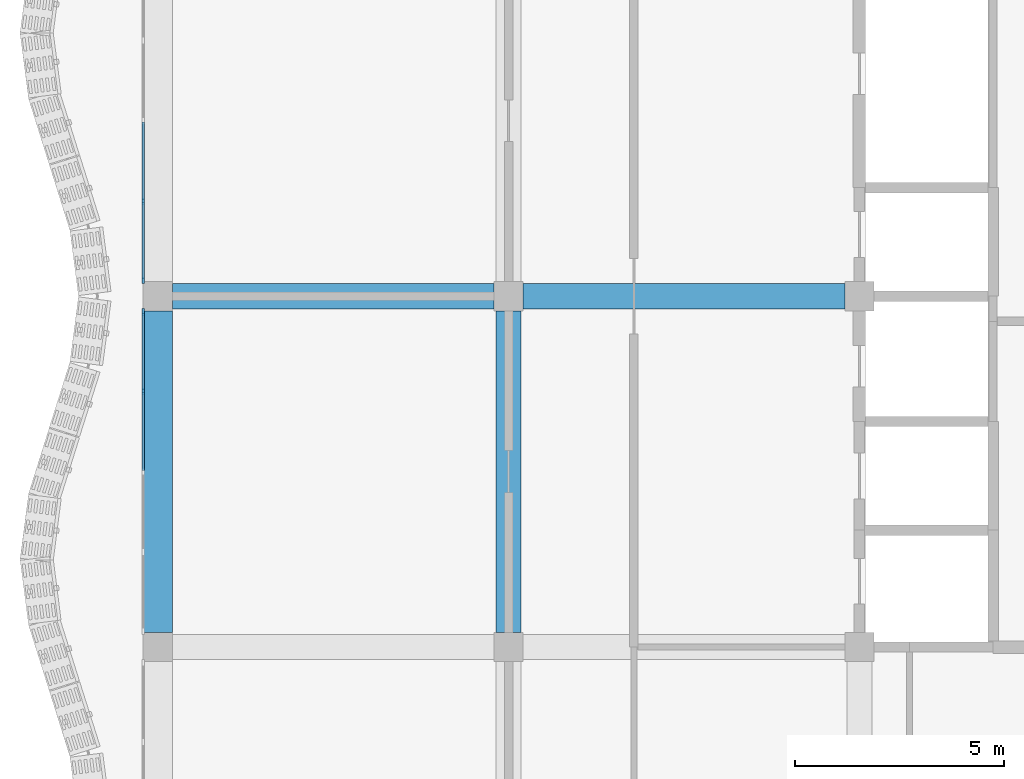
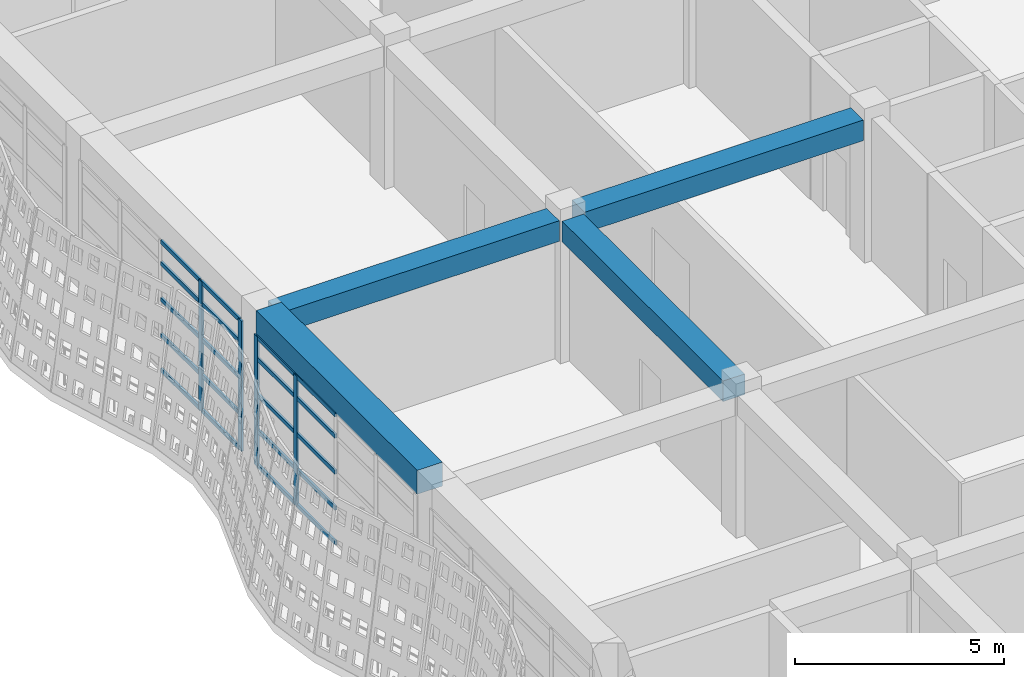
# One storey, part 18 of 162: 24 members, 4 beams, 2 elements without a shape of their own.
"""IFC4 building model written with IfcOpenShell, lengths in metres."""

from ifc_helpers import new_model, si_unit, direction, frame, origin, origin_2d, place, context, subcontext, project, spatial, rectangle, extrude, material, material_profile, profile_set, type_object, element, aggregate, save


model = new_model("IFC4")

# Units and contexts
model_context = context("Model", 3, precision=1e-05, world=origin(), true_north=direction((0.0, 1.0)))
body_context = subcontext(model_context, "Body", "Model", "MODEL_VIEW")
ifc_project = project(units=[si_unit("LENGTHUNIT", "METRE"), si_unit("AREAUNIT", "SQUARE_METRE"), si_unit("VOLUMEUNIT", "CUBIC_METRE"), si_unit("PLANEANGLEUNIT", "RADIAN"), si_unit("MASSUNIT", "GRAM", prefix="KILO")], contexts=[model_context])

# Site, building, storey
site_placement = place(None, origin())
site = spatial("IfcSite", under=ifc_project, at=site_placement, CompositionType="ELEMENT")
building_placement = place(site_placement, origin())
building = spatial("IfcBuilding", under=site, at=building_placement, Name="Rain Tree Exposition and Congress Centre", CompositionType="ELEMENT")
storey_placement = place(building_placement, frame((0.0, 0.0, 6.0)))
storey = spatial("IfcBuildingStorey", under=building, at=storey_placement, Name="L01", CompositionType="ELEMENT", Elevation=6.0)

# Beams
ifc_material_1 = material(Name="Precast concrete C50/60", Category="concrete")
ifc_material_profile_1 = material_profile(ifc_material_1, rectangle(XDim=0.60009765625, YDim=0.60009765625, at=origin_2d()), Name="RC 600x600")
ifc_profile_set_1 = profile_set([ifc_material_profile_1], Name="Precast concrete C50/60")
beam_type_1 = type_object("IfcBeamType", Name="Precast beam 600x600", PredefinedType="BEAM", material=ifc_profile_set_1)
beam_1_placement = place(storey_placement, frame((8.39990234375, 17.14990234375, 3.85009765625), z_axis=(0.0, 1.0, 0.0), x_axis=(-1.0, 0.0, 0.0)))
element("IfcBeam", 1, at=beam_1_placement, inside=storey, type_object=beam_type_1, Name="wing/beam/L01/L02/018", PredefinedType="BEAM", context=body_context, shape_type="SweptSolid", body=[
    extrude(rectangle(XDim=0.60009765625, YDim=0.60009765625, at=origin_2d()), origin(), (0.0, 0.0, 1.0), 7.7001953125),
])
for number, where, z_axis, x_axis, name in (
    (2, (0.35009765625, 25.199951171875, 3.85009765625), (1.0, 0.0, 0.0), (0.0, 1.0, 0.0), "wing/beam/L01/L02/033"),
    (3, (8.75, 25.199951171875, 3.85009765625), (1.0, 0.0, 0.0), (0.0, 1.0, 0.0), "wing/beam/L01/L02/035"),
):
    element("IfcBeam", number, at=place(storey_placement, frame(where, z_axis=z_axis, x_axis=x_axis)), inside=storey, type_object=beam_type_1, Name=name, PredefinedType="BEAM", context=body_context, shape_type="SweptSolid", body=[
        extrude(rectangle(XDim=0.60009765625, YDim=0.60009765625, at=origin_2d()), origin(), (0.0, 0.0, 1.0), 7.699951171875),
    ])
ifc_material_2 = material(Name="Precast concrete C50/60", Category="concrete")
ifc_material_profile_2 = material_profile(ifc_material_2, rectangle(XDim=0.699951171875, YDim=0.699951171875, at=origin_2d()), Name="RC 700x700")
ifc_profile_set_2 = profile_set([ifc_material_profile_2], Name="Precast concrete C50/60")
beam_type_2 = type_object("IfcBeamType", Name="Precast spandrel beam 700x700", PredefinedType="SPANDREL", material=ifc_profile_set_2)
beam_2_placement = place(storey_placement, frame((0.0, 17.14990234375, 4.14990234375), z_axis=(0.0, 1.0, 0.0), x_axis=(-1.0, 0.0, 0.0)))
element("IfcBeam", 4, at=beam_2_placement, inside=storey, type_object=beam_type_2, Name="wing/beam/L01/L02/006", PredefinedType="SPANDREL", context=body_context, shape_type="SweptSolid", body=[
    extrude(rectangle(XDim=0.699951171875, YDim=0.699951171875, at=origin_2d()), origin(), (0.0, 0.0, 1.0), 7.7001953125),
])

# Curtain wall, members
ifc_material_3 = material(Name="Aluminium curtain wall", Category="aluminium")
curtain_wall_type = type_object("IfcCurtainWallType", Name="Wing curtain wall 1925", PredefinedType="NOTDEFINED", material=ifc_material_3)
curtain_wall_1_placement = place(storey_placement, origin())
curtain_wall_1 = element("IfcCurtainWall", 5, at=curtain_wall_1_placement, inside=storey, type_object=curtain_wall_type, Name="Curtain wall CWW209", PredefinedType="NOTDEFINED")
ifc_material_4 = material(Name="Aluminium", Category="aluminium")
ifc_material_profile_3 = material_profile(ifc_material_4, rectangle(XDim=0.06005859375, YDim=0.159912109375, at=origin_2d()), Name="Aluminium 60x160")
ifc_profile_set_3 = profile_set([ifc_material_profile_3], Name="Aluminium")
member_type_1 = type_object("IfcMemberType", Name="Wing mullion 60x160", PredefinedType="MULLION", material=ifc_profile_set_3)
member_1_placement = place(storey_placement, frame((-0.35009765625, 22.925048828125, 0.0), z_axis=(0.0, 0.0, 1.0), x_axis=(-1.0, 0.0, 0.0)))
member_1 = element("IfcMember", 6, at=member_1_placement, type_object=member_type_1, Name="CWW209 mullion 4", PredefinedType="MULLION", context=body_context, shape_type="SweptSolid", body=[
    extrude(rectangle(XDim=0.06005859375, YDim=0.159912109375, at=origin_2d()), origin(), (0.0, 0.0, 1.0), 3.800048828125),
])
member_2_placement = place(storey_placement, frame((-0.35009765625, 24.820068359375, 0.0), z_axis=(0.0, 0.0, 1.0), x_axis=(-1.0, 0.0, 0.0)))
member_2 = element("IfcMember", 7, at=member_2_placement, type_object=member_type_1, Name="CWW209 mullion 5", PredefinedType="MULLION", context=body_context, shape_type="SweptSolid", body=[
    extrude(rectangle(XDim=0.06005859375, YDim=0.159912109375, at=origin_2d()), origin(), (0.0, 0.0, 1.0), 3.800048828125),
])

curtain_wall_2_placement = place(storey_placement, origin())
curtain_wall_2 = element("IfcCurtainWall", 8, at=curtain_wall_2_placement, inside=storey, type_object=curtain_wall_type, Name="Curtain wall CWW210", PredefinedType="NOTDEFINED")
member_3_placement = place(storey_placement, frame((-0.35009765625, 25.580078125, 0.0), z_axis=(0.0, 0.0, 1.0), x_axis=(-1.0, 0.0, 0.0)))
member_3 = element("IfcMember", 9, at=member_3_placement, type_object=member_type_1, Name="CWW210 mullion 1", PredefinedType="MULLION", context=body_context, shape_type="SweptSolid", body=[
    extrude(rectangle(XDim=0.06005859375, YDim=0.159912109375, at=origin_2d()), origin(), (0.0, 0.0, 1.0), 3.800048828125),
])
member_4_placement = place(storey_placement, frame((-0.35009765625, 27.47509765625, 0.0), z_axis=(0.0, 0.0, 1.0), x_axis=(-1.0, 0.0, 0.0)))
member_4 = element("IfcMember", 10, at=member_4_placement, type_object=member_type_1, Name="CWW210 mullion 2", PredefinedType="MULLION", context=body_context, shape_type="SweptSolid", body=[
    extrude(rectangle(XDim=0.06005859375, YDim=0.159912109375, at=origin_2d()), origin(), (0.0, 0.0, 1.0), 3.800048828125),
])

# Member
ifc_material_5 = material(Name="Aluminium", Category="aluminium")
ifc_material_profile_4 = material_profile(ifc_material_5, rectangle(XDim=0.06005859375, YDim=0.1201171875, at=origin_2d()), Name="Aluminium 60x120")
ifc_profile_set_4 = profile_set([ifc_material_profile_4], Name="Aluminium")
member_type_2 = type_object("IfcMemberType", Name="Wing transom 60x120", PredefinedType="USERDEFINED", material=ifc_profile_set_4)
member_5_placement = place(storey_placement, frame((-0.35009765625, 21.030029296875, 0.030029296875), z_axis=(0.0, 1.0, 0.0), x_axis=(-1.0, 0.0, 0.0)))
member_5 = element("IfcMember", 11, at=member_5_placement, type_object=member_type_2, Name="CWW209 transom 3.1", ObjectType="TRANSOM", PredefinedType="USERDEFINED", context=body_context, shape_type="SweptSolid", body=[
    extrude(rectangle(XDim=0.06005859375, YDim=0.1201171875, at=origin_2d()), origin(), (0.0, 0.0, 1.0), 1.864990234375),
])

member_6_placement = place(storey_placement, frame((-0.35009765625, 21.030029296875, 1.050048828125), z_axis=(0.0, 1.0, 0.0), x_axis=(-1.0, 0.0, 0.0)))
member_6 = element("IfcMember", 12, at=member_6_placement, type_object=member_type_2, Name="CWW209 transom 3.2", ObjectType="TRANSOM", PredefinedType="USERDEFINED", context=body_context, shape_type="SweptSolid", body=[
    extrude(rectangle(XDim=0.06005859375, YDim=0.1201171875, at=origin_2d()), origin(), (0.0, 0.0, 1.0), 1.864990234375),
])

member_7_placement = place(storey_placement, frame((-0.35009765625, 21.030029296875, 2.10009765625), z_axis=(0.0, 1.0, 0.0), x_axis=(-1.0, 0.0, 0.0)))
member_7 = element("IfcMember", 13, at=member_7_placement, type_object=member_type_2, Name="CWW209 transom 3.3", ObjectType="TRANSOM", PredefinedType="USERDEFINED", context=body_context, shape_type="SweptSolid", body=[
    extrude(rectangle(XDim=0.06005859375, YDim=0.1201171875, at=origin_2d()), origin(), (0.0, 0.0, 1.0), 1.864990234375),
])

member_8_placement = place(storey_placement, frame((-0.35009765625, 21.030029296875, 3.14990234375), z_axis=(0.0, 1.0, 0.0), x_axis=(-1.0, 0.0, 0.0)))
member_8 = element("IfcMember", 14, at=member_8_placement, type_object=member_type_2, Name="CWW209 transom 3.4", ObjectType="TRANSOM", PredefinedType="USERDEFINED", context=body_context, shape_type="SweptSolid", body=[
    extrude(rectangle(XDim=0.06005859375, YDim=0.1201171875, at=origin_2d()), origin(), (0.0, 0.0, 1.0), 1.864990234375),
])

member_9_placement = place(storey_placement, frame((-0.35009765625, 21.030029296875, 3.77001953125), z_axis=(0.0, 1.0, 0.0), x_axis=(-1.0, 0.0, 0.0)))
member_9 = element("IfcMember", 15, at=member_9_placement, type_object=member_type_2, Name="CWW209 transom 3.5", ObjectType="TRANSOM", PredefinedType="USERDEFINED", context=body_context, shape_type="SweptSolid", body=[
    extrude(rectangle(XDim=0.06005859375, YDim=0.1201171875, at=origin_2d()), origin(), (0.0, 0.0, 1.0), 1.864990234375),
])

member_10_placement = place(storey_placement, frame((-0.35009765625, 22.955078125, 0.030029296875), z_axis=(0.0, 1.0, 0.0), x_axis=(-1.0, 0.0, 0.0)))
member_10 = element("IfcMember", 16, at=member_10_placement, type_object=member_type_2, Name="CWW209 transom 4.1", ObjectType="TRANSOM", PredefinedType="USERDEFINED", context=body_context, shape_type="SweptSolid", body=[
    extrude(rectangle(XDim=0.06005859375, YDim=0.1201171875, at=origin_2d()), origin(), (0.0, 0.0, 1.0), 1.8349609375),
])

member_11_placement = place(storey_placement, frame((-0.35009765625, 22.955078125, 1.050048828125), z_axis=(0.0, 1.0, 0.0), x_axis=(-1.0, 0.0, 0.0)))
member_11 = element("IfcMember", 17, at=member_11_placement, type_object=member_type_2, Name="CWW209 transom 4.2", ObjectType="TRANSOM", PredefinedType="USERDEFINED", context=body_context, shape_type="SweptSolid", body=[
    extrude(rectangle(XDim=0.06005859375, YDim=0.1201171875, at=origin_2d()), origin(), (0.0, 0.0, 1.0), 1.8349609375),
])

member_12_placement = place(storey_placement, frame((-0.35009765625, 22.955078125, 2.10009765625), z_axis=(0.0, 1.0, 0.0), x_axis=(-1.0, 0.0, 0.0)))
member_12 = element("IfcMember", 18, at=member_12_placement, type_object=member_type_2, Name="CWW209 transom 4.3", ObjectType="TRANSOM", PredefinedType="USERDEFINED", context=body_context, shape_type="SweptSolid", body=[
    extrude(rectangle(XDim=0.06005859375, YDim=0.1201171875, at=origin_2d()), origin(), (0.0, 0.0, 1.0), 1.8349609375),
])

member_13_placement = place(storey_placement, frame((-0.35009765625, 22.955078125, 3.14990234375), z_axis=(0.0, 1.0, 0.0), x_axis=(-1.0, 0.0, 0.0)))
member_13 = element("IfcMember", 19, at=member_13_placement, type_object=member_type_2, Name="CWW209 transom 4.4", ObjectType="TRANSOM", PredefinedType="USERDEFINED", context=body_context, shape_type="SweptSolid", body=[
    extrude(rectangle(XDim=0.06005859375, YDim=0.1201171875, at=origin_2d()), origin(), (0.0, 0.0, 1.0), 1.8349609375),
])

member_14_placement = place(storey_placement, frame((-0.35009765625, 22.955078125, 3.77001953125), z_axis=(0.0, 1.0, 0.0), x_axis=(-1.0, 0.0, 0.0)))
member_14 = element("IfcMember", 20, at=member_14_placement, type_object=member_type_2, Name="CWW209 transom 4.5", ObjectType="TRANSOM", PredefinedType="USERDEFINED", context=body_context, shape_type="SweptSolid", body=[
    extrude(rectangle(XDim=0.06005859375, YDim=0.1201171875, at=origin_2d()), origin(), (0.0, 0.0, 1.0), 1.8349609375),
])

aggregate(curtain_wall_1, [member_1, member_2, member_5, member_6, member_7, member_8, member_9, member_10, member_11, member_12, member_13, member_14])

member_15_placement = place(storey_placement, frame((-0.35009765625, 25.610107421875, 0.030029296875), z_axis=(0.0, 1.0, 0.0), x_axis=(-1.0, 0.0, 0.0)))
member_15 = element("IfcMember", 21, at=member_15_placement, type_object=member_type_2, Name="CWW210 transom 1.1", ObjectType="TRANSOM", PredefinedType="USERDEFINED", context=body_context, shape_type="SweptSolid", body=[
    extrude(rectangle(XDim=0.06005859375, YDim=0.1201171875, at=origin_2d()), origin(), (0.0, 0.0, 1.0), 1.8349609375),
])

member_16_placement = place(storey_placement, frame((-0.35009765625, 25.610107421875, 1.050048828125), z_axis=(0.0, 1.0, 0.0), x_axis=(-1.0, 0.0, 0.0)))
member_16 = element("IfcMember", 22, at=member_16_placement, type_object=member_type_2, Name="CWW210 transom 1.2", ObjectType="TRANSOM", PredefinedType="USERDEFINED", context=body_context, shape_type="SweptSolid", body=[
    extrude(rectangle(XDim=0.06005859375, YDim=0.1201171875, at=origin_2d()), origin(), (0.0, 0.0, 1.0), 1.8349609375),
])

member_17_placement = place(storey_placement, frame((-0.35009765625, 25.610107421875, 2.10009765625), z_axis=(0.0, 1.0, 0.0), x_axis=(-1.0, 0.0, 0.0)))
member_17 = element("IfcMember", 23, at=member_17_placement, type_object=member_type_2, Name="CWW210 transom 1.3", ObjectType="TRANSOM", PredefinedType="USERDEFINED", context=body_context, shape_type="SweptSolid", body=[
    extrude(rectangle(XDim=0.06005859375, YDim=0.1201171875, at=origin_2d()), origin(), (0.0, 0.0, 1.0), 1.8349609375),
])

member_18_placement = place(storey_placement, frame((-0.35009765625, 25.610107421875, 3.14990234375), z_axis=(0.0, 1.0, 0.0), x_axis=(-1.0, 0.0, 0.0)))
member_18 = element("IfcMember", 24, at=member_18_placement, type_object=member_type_2, Name="CWW210 transom 1.4", ObjectType="TRANSOM", PredefinedType="USERDEFINED", context=body_context, shape_type="SweptSolid", body=[
    extrude(rectangle(XDim=0.06005859375, YDim=0.1201171875, at=origin_2d()), origin(), (0.0, 0.0, 1.0), 1.8349609375),
])

member_19_placement = place(storey_placement, frame((-0.35009765625, 25.610107421875, 3.77001953125), z_axis=(0.0, 1.0, 0.0), x_axis=(-1.0, 0.0, 0.0)))
member_19 = element("IfcMember", 25, at=member_19_placement, type_object=member_type_2, Name="CWW210 transom 1.5", ObjectType="TRANSOM", PredefinedType="USERDEFINED", context=body_context, shape_type="SweptSolid", body=[
    extrude(rectangle(XDim=0.06005859375, YDim=0.1201171875, at=origin_2d()), origin(), (0.0, 0.0, 1.0), 1.8349609375),
])

member_20_placement = place(storey_placement, frame((-0.35009765625, 27.5048828125, 0.030029296875), z_axis=(0.0, 1.0, 0.0), x_axis=(-1.0, 0.0, 0.0)))
member_20 = element("IfcMember", 26, at=member_20_placement, type_object=member_type_2, Name="CWW210 transom 2.1", ObjectType="TRANSOM", PredefinedType="USERDEFINED", context=body_context, shape_type="SweptSolid", body=[
    extrude(rectangle(XDim=0.06005859375, YDim=0.1201171875, at=origin_2d()), origin(), (0.0, 0.0, 1.0), 1.865234375),
])

member_21_placement = place(storey_placement, frame((-0.35009765625, 27.5048828125, 1.050048828125), z_axis=(0.0, 1.0, 0.0), x_axis=(-1.0, 0.0, 0.0)))
member_21 = element("IfcMember", 27, at=member_21_placement, type_object=member_type_2, Name="CWW210 transom 2.2", ObjectType="TRANSOM", PredefinedType="USERDEFINED", context=body_context, shape_type="SweptSolid", body=[
    extrude(rectangle(XDim=0.06005859375, YDim=0.1201171875, at=origin_2d()), origin(), (0.0, 0.0, 1.0), 1.865234375),
])

member_22_placement = place(storey_placement, frame((-0.35009765625, 27.5048828125, 2.10009765625), z_axis=(0.0, 1.0, 0.0), x_axis=(-1.0, 0.0, 0.0)))
member_22 = element("IfcMember", 28, at=member_22_placement, type_object=member_type_2, Name="CWW210 transom 2.3", ObjectType="TRANSOM", PredefinedType="USERDEFINED", context=body_context, shape_type="SweptSolid", body=[
    extrude(rectangle(XDim=0.06005859375, YDim=0.1201171875, at=origin_2d()), origin(), (0.0, 0.0, 1.0), 1.865234375),
])

member_23_placement = place(storey_placement, frame((-0.35009765625, 27.5048828125, 3.14990234375), z_axis=(0.0, 1.0, 0.0), x_axis=(-1.0, 0.0, 0.0)))
member_23 = element("IfcMember", 29, at=member_23_placement, type_object=member_type_2, Name="CWW210 transom 2.4", ObjectType="TRANSOM", PredefinedType="USERDEFINED", context=body_context, shape_type="SweptSolid", body=[
    extrude(rectangle(XDim=0.06005859375, YDim=0.1201171875, at=origin_2d()), origin(), (0.0, 0.0, 1.0), 1.865234375),
])

member_24_placement = place(storey_placement, frame((-0.35009765625, 27.5048828125, 3.77001953125), z_axis=(0.0, 1.0, 0.0), x_axis=(-1.0, 0.0, 0.0)))
member_24 = element("IfcMember", 30, at=member_24_placement, type_object=member_type_2, Name="CWW210 transom 2.5", ObjectType="TRANSOM", PredefinedType="USERDEFINED", context=body_context, shape_type="SweptSolid", body=[
    extrude(rectangle(XDim=0.06005859375, YDim=0.1201171875, at=origin_2d()), origin(), (0.0, 0.0, 1.0), 1.865234375),
])

aggregate(curtain_wall_2, [member_3, member_4, member_15, member_16, member_17, member_18, member_19, member_20, member_21, member_22, member_23, member_24])

save(model, "model.ifc")
